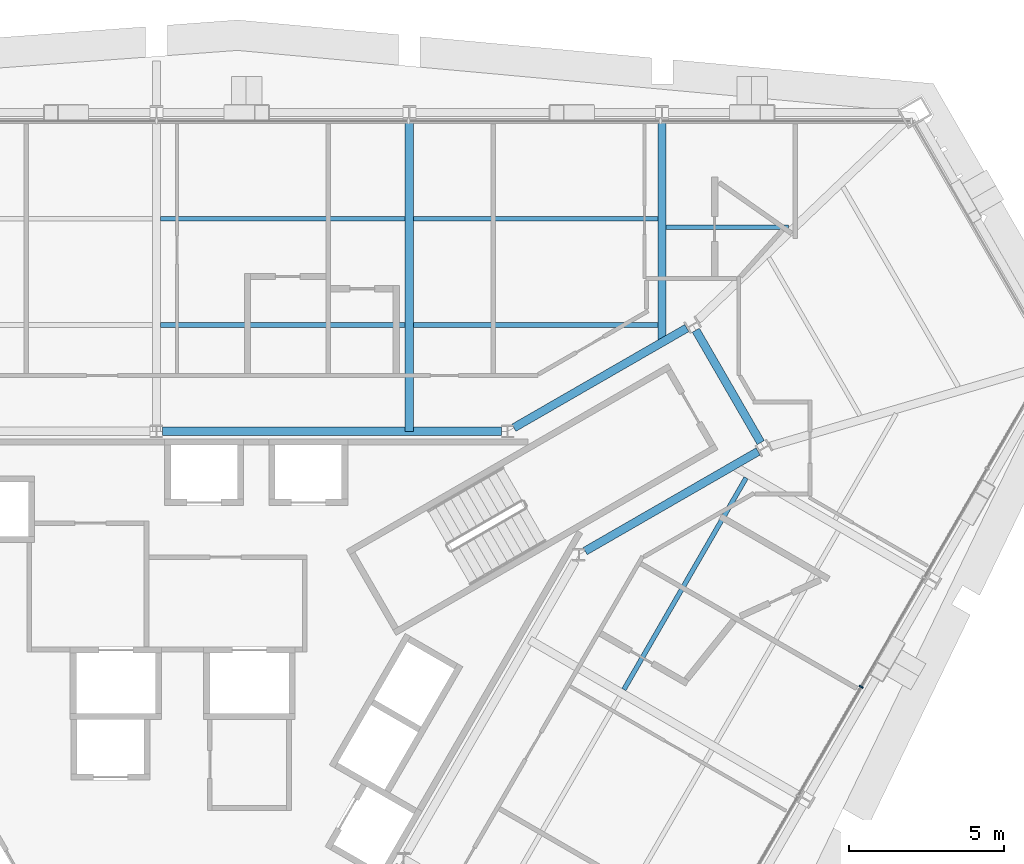
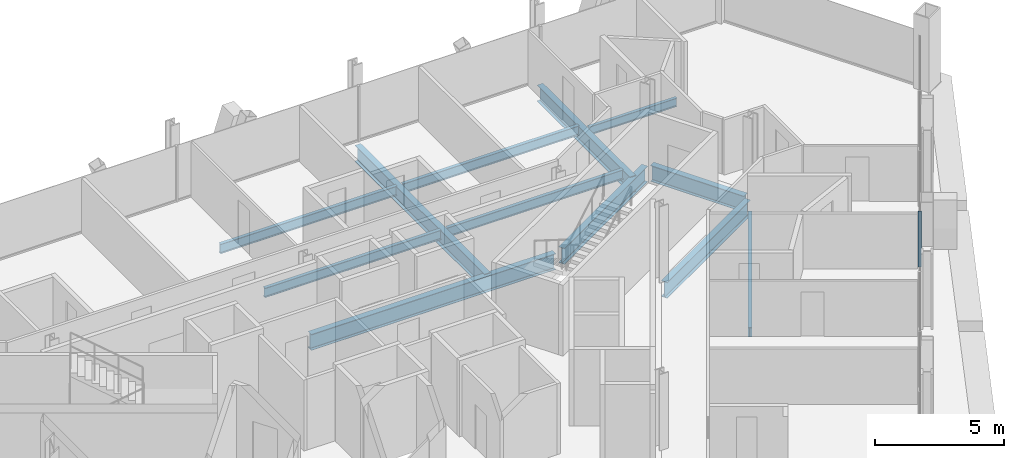
# One storey, part 9 of 19: 12 beams, 1 member, 1 element without a shape of its own.
"""IFC4 building model written with IfcOpenShell, lengths in metres."""

from ifc_helpers import new_model, si_unit, direction, frame, origin, origin_2d, place, context, subcontext, project, spatial, rectangle, i_section, extrude, material, material_profile, profile_set, type_object, element, aggregate, save


model = new_model("IFC4")

# Units and contexts
model_context = context("Model", 3, precision=1e-05, world=origin(), true_north=direction((0.0, 1.0)))
body_context = subcontext(model_context, "Body", "Model", "MODEL_VIEW")
ifc_project = project(units=[si_unit("LENGTHUNIT", "METRE"), si_unit("AREAUNIT", "SQUARE_METRE"), si_unit("VOLUMEUNIT", "CUBIC_METRE"), si_unit("PLANEANGLEUNIT", "RADIAN"), si_unit("MASSUNIT", "GRAM", prefix="KILO")], contexts=[model_context])

# Site, building, storey
site_placement = place(None, origin())
site = spatial("IfcSite", under=ifc_project, at=site_placement, CompositionType="ELEMENT")
building_placement = place(site_placement, origin())
building = spatial("IfcBuilding", under=site, at=building_placement, Name="Verrane Prism Tower", CompositionType="ELEMENT")
storey_placement = place(building_placement, frame((0.0, 0.0, 125.199951171875)))
storey = spatial("IfcBuildingStorey", under=building, at=storey_placement, Name="L30", CompositionType="ELEMENT", Elevation=125.199951171875)

# Beams
ifc_material_1 = material(Name="Steel A992", Category="steel")
ifc_material_profile_1 = material_profile(ifc_material_1, i_section(OverallWidth=0.2666015625, OverallDepth=0.7568359375, WebThickness=0.013916015625, FlangeThickness=0.019287109375, FilletRadius=0.0166015625, at=origin_2d()), Name="W30x108")
ifc_profile_set_1 = profile_set([ifc_material_profile_1], Name="Steel A992")
beam_type_1 = type_object("IfcBeamType", Name="Core ring girder W30x108", PredefinedType="BEAM", material=ifc_profile_set_1)
beam_1_placement = place(storey_placement, frame((13.830810546875, 5.335693359375, -0.62841796875), z_axis=(0.866455532004, 0.499254254924, 0.0), x_axis=(-0.499254254924, 0.866455532004, 0.0)))
element("IfcBeam", 1, at=beam_1_placement, inside=storey, type_object=beam_type_1, Name="Core ring girder L30", PredefinedType="BEAM", context=body_context, shape_type="SweptSolid", body=[
    extrude(i_section(OverallWidth=0.2666015625, OverallDepth=0.7568359375, WebThickness=0.013916015625, FlangeThickness=0.019287109375, FilletRadius=0.0166015625, at=origin_2d()), origin(), (0.0, 0.0, 1.0), 6.441162109375),
])
beam_2_placement = place(storey_placement, frame((19.4970703125, 8.838134765625, -0.62841796875), z_axis=(-0.500367003619, 0.865813410435, 0.0), x_axis=(-0.865813410435, -0.500367003619, 0.0)))
element("IfcBeam", 2, at=beam_2_placement, inside=storey, type_object=beam_type_1, Name="Core ring girder L30", PredefinedType="BEAM", context=body_context, shape_type="SweptSolid", body=[
    extrude(i_section(OverallWidth=0.2666015625, OverallDepth=0.7568359375, WebThickness=0.013916015625, FlangeThickness=0.019287109375, FilletRadius=0.0166015625, at=origin_2d()), origin(), (0.0, 0.0, 1.0), 4.185302734375),
])
beam_3_placement = place(storey_placement, frame((17.11181640625, 12.531494140625, -0.62841796875), z_axis=(-0.866455532004, -0.499254254924, 0.0), x_axis=(0.499254254924, -0.866455532004, 0.0)))
element("IfcBeam", 3, at=beam_3_placement, inside=storey, type_object=beam_type_1, Name="Core ring girder L30", PredefinedType="BEAM", context=body_context, shape_type="SweptSolid", body=[
    extrude(i_section(OverallWidth=0.2666015625, OverallDepth=0.7568359375, WebThickness=0.013916015625, FlangeThickness=0.019287109375, FilletRadius=0.0166015625, at=origin_2d()), origin(), (0.0, 0.0, 1.0), 6.441162109375),
])
beam_4_placement = place(storey_placement, frame((11.12939453125, 9.199951171875, -0.62841796875), z_axis=(-1.0, 0.0, 0.0), x_axis=(0.0, -1.0, 0.0)))
element("IfcBeam", 4, at=beam_4_placement, inside=storey, type_object=beam_type_1, Name="Core ring girder L30", PredefinedType="BEAM", context=body_context, shape_type="SweptSolid", body=[
    extrude(i_section(OverallWidth=0.2666015625, OverallDepth=0.7568359375, WebThickness=0.013916015625, FlangeThickness=0.019287109375, FilletRadius=0.0166015625, at=origin_2d()), origin(), (0.0, 0.0, 1.0), 10.9287109375),
])
ifc_material_2 = material(Name="Steel A992", Category="steel")
ifc_material_profile_2 = material_profile(ifc_material_2, i_section(OverallWidth=0.140380859375, OverallDepth=0.40380859375, WebThickness=0.007080078125, FlangeThickness=0.01123046875, FilletRadius=0.01025390625, at=origin_2d()), Name="W16x31")
ifc_profile_set_2 = profile_set([ifc_material_profile_2], Name="Steel A992")
beam_type_2 = type_object("IfcBeamType", Name="Floor beam W16x31", PredefinedType="BEAM", material=ifc_profile_set_2)
beam_5_placement = place(storey_placement, frame((16.443603515625, 15.780029296875, -0.36181640625), z_axis=(1.0, 0.0, 0.0), x_axis=(0.0, 1.0, 0.0)))
element("IfcBeam", 5, at=beam_5_placement, inside=storey, type_object=beam_type_2, Name="Floor beam L30", PredefinedType="BEAM", context=body_context, shape_type="SweptSolid", body=[
    extrude(i_section(OverallWidth=0.140380859375, OverallDepth=0.40380859375, WebThickness=0.007080078125, FlangeThickness=0.01123046875, FilletRadius=0.01025390625, at=origin_2d()), origin(), (0.0, 0.0, 1.0), 3.94970703125),
])
ifc_material_3 = material(Name="Steel A992", Category="steel")
ifc_material_profile_3 = material_profile(ifc_material_3, i_section(OverallWidth=0.15234375, OverallDepth=0.449462890625, WebThickness=0.007568359375, FlangeThickness=0.0107421875, FilletRadius=0.01025390625, at=origin_2d()), Name="W18x35")
ifc_profile_set_3 = profile_set([ifc_material_profile_3], Name="Steel A992")
beam_type_3 = type_object("IfcBeamType", Name="Floor beam W18x35", PredefinedType="BEAM", material=ifc_profile_set_3)
for number, where, z_axis, x_axis, name in (
    (6, (8.29345703125, 12.6298828125, -0.384765625), (1.0, 0.0, 0.0), (0.0, 1.0, 0.0), "Floor beam L30"),
    (7, (8.29345703125, 16.06005859375, -0.384765625), (1.0, 0.0, 0.0), (0.0, 1.0, 0.0), "Floor beam L30"),
):
    element("IfcBeam", number, at=place(storey_placement, frame(where, z_axis=z_axis, x_axis=x_axis)), inside=storey, type_object=beam_type_3, Name=name, PredefinedType="BEAM", context=body_context, shape_type="SweptSolid", body=[
        extrude(i_section(OverallWidth=0.15234375, OverallDepth=0.449462890625, WebThickness=0.007568359375, FlangeThickness=0.0107421875, FilletRadius=0.01025390625, at=origin_2d()), origin(), (0.0, 0.0, 1.0), 7.883056640625),
    ])
for number, where, z_axis, x_axis, name in (
    (8, (0.133544921875, 12.6298828125, -0.384765625), (1.0, 0.0, 0.0), (0.0, 1.0, 0.0), "Floor beam L30"),
    (9, (0.133544921875, 16.06005859375, -0.384765625), (1.0, 0.0, 0.0), (0.0, 1.0, 0.0), "Floor beam L30"),
):
    element("IfcBeam", number, at=place(storey_placement, frame(where, z_axis=z_axis, x_axis=x_axis)), inside=storey, type_object=beam_type_3, Name=name, PredefinedType="BEAM", context=body_context, shape_type="SweptSolid", body=[
        extrude(i_section(OverallWidth=0.15234375, OverallDepth=0.449462890625, WebThickness=0.007568359375, FlangeThickness=0.0107421875, FilletRadius=0.01025390625, at=origin_2d()), origin(), (0.0, 0.0, 1.0), 7.89306640625),
    ])
beam_6_placement = place(storey_placement, frame((15.0810546875, 0.868408203125, -0.384765625), z_axis=(0.499998505031, 0.866026266903, 0.0), x_axis=(-0.866026266903, 0.499998505031, 0.0)))
element("IfcBeam", 10, at=beam_6_placement, inside=storey, type_object=beam_type_3, Name="Floor beam L30", PredefinedType="BEAM", context=body_context, shape_type="SweptSolid", body=[
    extrude(i_section(OverallWidth=0.15234375, OverallDepth=0.449462890625, WebThickness=0.007568359375, FlangeThickness=0.0107421875, FilletRadius=0.01025390625, at=origin_2d()), origin(), (0.0, 0.0, 1.0), 7.88525390625),
])

# Curtain wall, member
ifc_material_4 = material(Name="Aluminium framed insulated glazing", Category="aluminium")
curtain_wall_type = type_object("IfcCurtainWallType", Name="Curtain wall CW-C 4200 module", PredefinedType="NOTDEFINED", material=ifc_material_4)
curtain_wall_placement = place(storey_placement, origin())
curtain_wall = element("IfcCurtainWall", 11, at=curtain_wall_placement, inside=storey, type_object=curtain_wall_type, Name="Glazed curtain wall south-east face L30", PredefinedType="NOTDEFINED")
ifc_material_5 = material(Name="Aluminium alloy 6063-T6", Category="aluminium")
ifc_material_profile_4 = material_profile(ifc_material_5, rectangle(XDim=0.139892578125, YDim=0.050048828125, at=origin_2d()), Name="Mullion 50x140 aluminium")
ifc_profile_set_4 = profile_set([ifc_material_profile_4], Name="Aluminium alloy 6063-T6")
member_type = type_object("IfcMemberType", Name="Mullion 50x140 aluminium", PredefinedType="MULLION", material=ifc_profile_set_4)
member_placement = place(storey_placement, frame((22.73681640625, 0.95947265625, 0.0), z_axis=(0.0, 0.0, 1.0), x_axis=(-0.866025327793, 0.500000131621, 0.0)))
member = element("IfcMember", 12, at=member_placement, type_object=member_type, Name="CW29.6 mullion 10", PredefinedType="MULLION", context=body_context, shape_type="SweptSolid", body=[
    extrude(rectangle(XDim=0.139892578125, YDim=0.050048828125, at=origin_2d()), origin(), (0.0, 0.0, 1.0), 2.613037109375),
])
aggregate(curtain_wall, [member])

# Beams
ifc_material_6 = material(Name="Steel A992", Category="steel")
ifc_material_profile_5 = material_profile(ifc_material_6, i_section(OverallWidth=0.2666015625, OverallDepth=0.76708984375, WebThickness=0.014892578125, FlangeThickness=0.023681640625, FilletRadius=0.0166015625, at=origin_2d()), Name="W30x124")
ifc_profile_set_5 = profile_set([ifc_material_profile_5], Name="Steel A992")
beam_type_4 = type_object("IfcBeamType", Name="Radial girder W30x124", PredefinedType="BEAM", material=ifc_profile_set_5)
beam_7_placement = place(storey_placement, frame((16.31005859375, 19.2626953125, -0.603515625), z_axis=(0.0, -1.0, 0.0), x_axis=(1.0, 0.0, 0.0)))
element("IfcBeam", 13, at=beam_7_placement, inside=storey, type_object=beam_type_4, Name="Radial girder L30", PredefinedType="BEAM", context=body_context, shape_type="SweptSolid", body=[
    extrude(i_section(OverallWidth=0.2666015625, OverallDepth=0.76708984375, WebThickness=0.014892578125, FlangeThickness=0.023681640625, FilletRadius=0.0166015625, at=origin_2d()), origin(), (0.0, 0.0, 1.0), 7.193115234375),
])
beam_8_placement = place(storey_placement, frame((8.159912109375, 19.2626953125, -0.603515625), z_axis=(0.0, -1.0, 0.0), x_axis=(1.0, 0.0, 0.0)))
element("IfcBeam", 14, at=beam_8_placement, inside=storey, type_object=beam_type_4, Name="Radial girder L30", PredefinedType="BEAM", context=body_context, shape_type="SweptSolid", body=[
    extrude(i_section(OverallWidth=0.2666015625, OverallDepth=0.76708984375, WebThickness=0.014892578125, FlangeThickness=0.023681640625, FilletRadius=0.0166015625, at=origin_2d()), origin(), (0.0, 0.0, 1.0), 10.062744140625),
])

save(model, "model.ifc")
